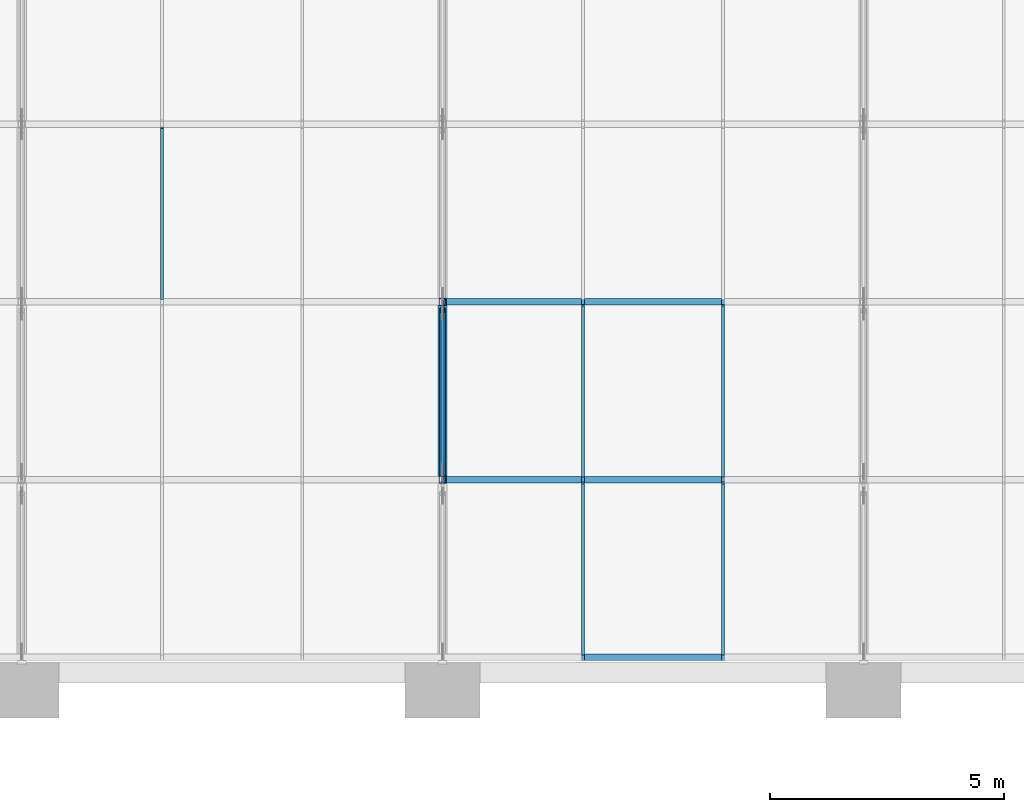
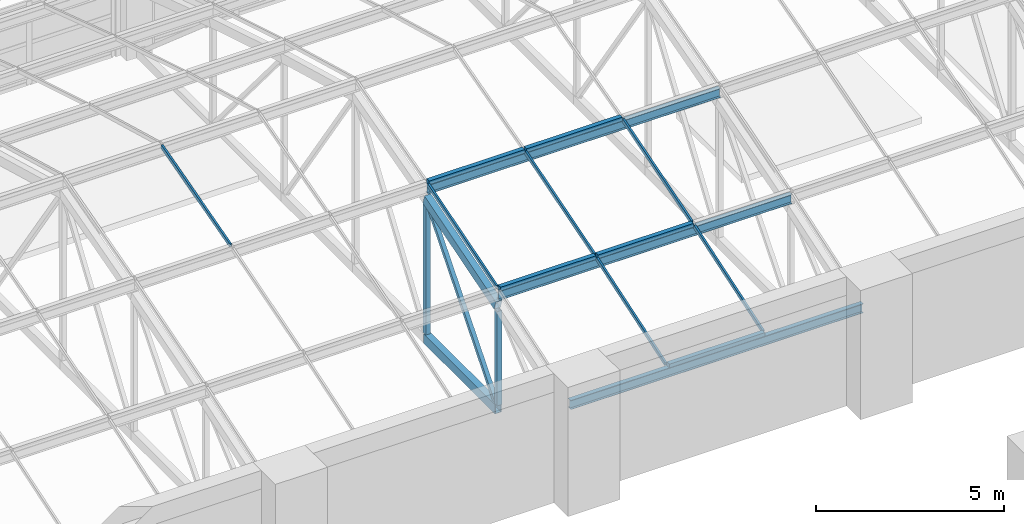
# One storey, part 31 of 82: 19 members, 1 element without a shape of its own.
"""IFC4 building model written with IfcOpenShell, lengths in metres."""

from ifc_helpers import new_model, si_unit, direction, frame, origin, origin_2d, place, context, subcontext, project, spatial, rectangle, hollow_rectangle, i_section, extrude, material, material_profile, profile_set, type_object, element, aggregate, save


model = new_model("IFC4")

# Units and contexts
model_context = context("Model", 3, precision=1e-05, world=origin(), true_north=direction((0.0, 1.0)))
body_context = subcontext(model_context, "Body", "Model", "MODEL_VIEW")
ifc_project = project(units=[si_unit("LENGTHUNIT", "METRE"), si_unit("AREAUNIT", "SQUARE_METRE"), si_unit("VOLUMEUNIT", "CUBIC_METRE"), si_unit("PLANEANGLEUNIT", "RADIAN"), si_unit("MASSUNIT", "GRAM", prefix="KILO")], contexts=[model_context])

# Site, building, storey
site_placement = place(None, origin())
site = spatial("IfcSite", under=ifc_project, at=site_placement, CompositionType="ELEMENT")
building_placement = place(site_placement, origin())
building = spatial("IfcBuilding", under=site, at=building_placement, Name="Aravalli Gate Trade Fair Centre", CompositionType="ELEMENT")
storey_placement = place(building_placement, frame((0.0, 0.0, 19.199951171875)))
storey = spatial("IfcBuildingStorey", under=building, at=storey_placement, Name="L04", CompositionType="ELEMENT", Elevation=19.199951171875)

# Members
ifc_material_1 = material(Name="Steel E350", Category="steel")
ifc_material_profile_1 = material_profile(ifc_material_1, i_section(OverallWidth=0.139892578125, OverallDepth=0.300048828125, WebThickness=0.0078125, FlangeThickness=0.01318359375, at=origin_2d()), Name="ISMB 300")
ifc_profile_set_1 = profile_set([ifc_material_profile_1], Name="Steel E350")
member_type_1 = type_object("IfcMemberType", Name="ISMB 300 roof purlin", PredefinedType="PURLIN", material=ifc_profile_set_1)
for number, where, z_axis, x_axis, name in (
    (1, (132.0, 109.699951171875, 2.60302734375), (1.0, 0.0, 0.0), (0.0, 1.0, 0.0), "Vault purlin 15-16 F0"),
    (2, (132.0, 113.5, 3.851318359375), (1.0, 0.0, 0.0), (0.0, 1.0, 0.0), "Vault purlin 15-16 F1"),
    (3, (132.0, 117.300048828125, 4.999267578125), (1.0, 0.0, 0.0), (0.0, 1.0, 0.0), "Vault purlin 15-16 F2"),
):
    element("IfcMember", number, at=place(storey_placement, frame(where, z_axis=z_axis, x_axis=x_axis)), inside=storey, type_object=member_type_1, Name=name, PredefinedType="PURLIN", context=body_context, shape_type="SweptSolid", body=[
        extrude(i_section(OverallWidth=0.139892578125, OverallDepth=0.300048828125, WebThickness=0.0078125, FlangeThickness=0.01318359375, at=origin_2d()), origin(), (0.0, 0.0, 1.0), 9.0),
    ])
ifc_material_profile_2 = material_profile(ifc_material_1, hollow_rectangle(XDim=0.199951171875, YDim=0.300048828125, WallThickness=0.011962890625, at=origin_2d()), Name="RHS 300x200x12")
ifc_profile_set_2 = profile_set([ifc_material_profile_2], Name="Steel E350")
member_type_2 = type_object("IfcMemberType", Name="RHS 300x200x12 CT1 truss chord", PredefinedType="CHORD", material=ifc_profile_set_2)
member_1_placement = place(storey_placement, frame((132.0, 113.5, 3.5234375), z_axis=(0.0, 0.957138110877, 0.289631898634), x_axis=(-1.0, 0.0, 0.0)))
element("IfcMember", 4, at=member_1_placement, inside=storey, type_object=member_type_2, Name="Concourse vault truss CT1 line 15 top chord T2", PredefinedType="CHORD", context=body_context, shape_type="SweptSolid", body=[
    extrude(hollow_rectangle(XDim=0.199951171875, YDim=0.300048828125, WallThickness=0.011962890625, at=origin_2d()), origin(), (0.0, 0.0, 1.0), 3.97021484375),
])
member_2_placement = place(storey_placement, frame((132.0, 113.5, 0.150146484375), z_axis=(0.0, 1.0, 0.0), x_axis=(-1.0, 0.0, 0.0)))
element("IfcMember", 5, at=member_2_placement, inside=storey, type_object=member_type_2, Name="Concourse vault truss CT1 line 15 bottom chord B2", PredefinedType="CHORD", context=body_context, shape_type="SweptSolid", body=[
    extrude(hollow_rectangle(XDim=0.199951171875, YDim=0.300048828125, WallThickness=0.011962890625, at=origin_2d()), origin(), (0.0, 0.0, 1.0), 3.800048828125),
])
ifc_material_profile_3 = material_profile(ifc_material_1, hollow_rectangle(XDim=0.125, YDim=0.125, WallThickness=0.006103515625, at=origin_2d()), Name="SHS 125x125x6")
ifc_profile_set_3 = profile_set([ifc_material_profile_3], Name="Steel E350")
member_type_3 = type_object("IfcMemberType", Name="SHS 125x125x6 CT1 truss diagonal", PredefinedType="BRACE", material=ifc_profile_set_3)
member_3_placement = place(storey_placement, frame((132.0, 113.6259765625, 0.300048828125), z_axis=(0.0, 0.643253159982, 0.765653558845), x_axis=(-1.0, 0.0, 0.0)))
element("IfcMember", 6, at=member_3_placement, inside=storey, type_object=member_type_3, Name="Concourse vault truss CT1 line 15 diagonal D2", PredefinedType="BRACE", context=body_context, shape_type="SweptSolid", body=[
    extrude(hollow_rectangle(XDim=0.125, YDim=0.125, WallThickness=0.006103515625, at=origin_2d()), origin(), (0.0, 0.0, 1.0), 5.437255859375),
])
ifc_material_profile_4 = material_profile(ifc_material_1, hollow_rectangle(XDim=0.14990234375, YDim=0.14990234375, WallThickness=0.006103515625, at=origin_2d()), Name="SHS 150x150x6")
ifc_profile_set_4 = profile_set([ifc_material_profile_4], Name="Steel E350")
member_type_4 = type_object("IfcMemberType", Name="SHS 150x150x6 CT1 truss post", PredefinedType="POST", material=ifc_profile_set_4)
member_4_placement = place(storey_placement, frame((132.0, 113.5, 0.300048828125), z_axis=(0.0, 0.0, 1.0), x_axis=(1.0, 0.0, 0.0)))
element("IfcMember", 7, at=member_4_placement, inside=storey, type_object=member_type_4, Name="Concourse vault truss CT1 line 15 post V1", PredefinedType="POST", context=body_context, shape_type="SweptSolid", body=[
    extrude(hollow_rectangle(XDim=0.14990234375, YDim=0.14990234375, WallThickness=0.006103515625, at=origin_2d()), origin(), (0.0, 0.0, 1.0), 3.064208984375),
])
member_5_placement = place(storey_placement, frame((132.0, 117.300048828125, 0.300048828125), z_axis=(0.0, 0.0, 1.0), x_axis=(1.0, 0.0, 0.0)))
element("IfcMember", 8, at=member_5_placement, inside=storey, type_object=member_type_4, Name="Concourse vault truss CT1 line 15 post V2", PredefinedType="POST", context=body_context, shape_type="SweptSolid", body=[
    extrude(hollow_rectangle(XDim=0.14990234375, YDim=0.14990234375, WallThickness=0.006103515625, at=origin_2d()), origin(), (0.0, 0.0, 1.0), 4.216552734375),
])
ifc_material_2 = material(Name="Aluminium", Category="aluminium")
ifc_material_profile_5 = material_profile(ifc_material_2, rectangle(XDim=0.139892578125, YDim=0.1201171875, at=origin_2d()), Name="Vault fold cap 140 x 120")
ifc_profile_set_5 = profile_set([ifc_material_profile_5], Name="Aluminium")
member_type_5 = type_object("IfcMemberType", Name="Vault fold cap 140 x 120", PredefinedType="USERDEFINED", material=ifc_profile_set_5)
for number, where, z_axis, x_axis, name in (
    (9, (132.030029296875, 113.5, 4.061279296875), (1.0, 0.0, 0.0), (0.0, 1.0, 0.0), "Vault fold cap e11.1"),
    (10, (132.030029296875, 117.300048828125, 5.209228515625), (1.0, 0.0, 0.0), (0.0, 1.0, 0.0), "Vault fold cap e11.2"),
    (11, (135.030029296875, 109.699951171875, 2.81298828125), (1.0, 0.0, 0.0), (0.0, 1.0, 0.0), "Vault fold cap e12.0"),
    (12, (135.030029296875, 113.5, 4.061279296875), (1.0, 0.0, 0.0), (0.0, 1.0, 0.0), "Vault fold cap e12.1"),
    (13, (135.030029296875, 117.300048828125, 5.209228515625), (1.0, 0.0, 0.0), (0.0, 1.0, 0.0), "Vault fold cap e12.2"),
):
    element("IfcMember", number, at=place(storey_placement, frame(where, z_axis=z_axis, x_axis=x_axis)), inside=storey, type_object=member_type_5, Name=name, ObjectType="FOLD CAP", PredefinedType="USERDEFINED", context=body_context, shape_type="SweptSolid", body=[
        extrude(rectangle(XDim=0.139892578125, YDim=0.1201171875, at=origin_2d()), origin(), (0.0, 0.0, 1.0), 2.93994140625),
    ])

# Curtain wall, members
ifc_material_3 = material(Name="Aluminium and glass", Category="aluminium")
curtain_wall_type = type_object("IfcCurtainWallType", Name="Vault curtain wall, sloped glazing", PredefinedType="NOTDEFINED", material=ifc_material_3)
curtain_wall_placement = place(storey_placement, origin())
curtain_wall = element("IfcCurtainWall", 14, at=curtain_wall_placement, inside=storey, type_object=curtain_wall_type, Name="Vault curtain wall e", PredefinedType="NOTDEFINED")
ifc_material_profile_6 = material_profile(ifc_material_2, rectangle(XDim=0.06005859375, YDim=0.1201171875, at=origin_2d()), Name="Vault glazing bar 60 x 120")
ifc_profile_set_6 = profile_set([ifc_material_profile_6], Name="Aluminium")
member_type_6 = type_object("IfcMemberType", Name="Vault glazing bar 60 x 120", PredefinedType="USERDEFINED", material=ifc_profile_set_6)
member_6_placement = place(storey_placement, frame((126.0, 117.3701171875, 5.20703125), z_axis=(0.0, 0.96386804037, 0.266380180859), x_axis=(-1.0, 0.0, 0.0)))
member_6 = element("IfcMember", 15, at=member_6_placement, type_object=member_type_6, Name="Vault glazing bar e9.3", ObjectType="GLAZING BAR", PredefinedType="USERDEFINED", context=body_context, shape_type="SweptSolid", body=[
    extrude(rectangle(XDim=0.06005859375, YDim=0.1201171875, at=origin_2d()), origin(), (0.0, 0.0, 1.0), 3.797119140625),
])
member_7_placement = place(storey_placement, frame((132.0, 113.570068359375, 4.05859375), z_axis=(0.0, 0.957125834694, 0.289672464279), x_axis=(-1.0, 0.0, 0.0)))
member_7 = element("IfcMember", 16, at=member_7_placement, type_object=member_type_6, Name="Vault glazing bar e11.2", ObjectType="GLAZING BAR", PredefinedType="USERDEFINED", context=body_context, shape_type="SweptSolid", body=[
    extrude(rectangle(XDim=0.06005859375, YDim=0.1201171875, at=origin_2d()), origin(), (0.0, 0.0, 1.0), 3.823974609375),
])
member_8_placement = place(storey_placement, frame((135.0, 109.77001953125, 2.81005859375), z_axis=(0.0, 0.949930492103, 0.31246129388), x_axis=(-1.0, 0.0, 0.0)))
member_8 = element("IfcMember", 17, at=member_8_placement, type_object=member_type_6, Name="Vault glazing bar e12.1", ObjectType="GLAZING BAR", PredefinedType="USERDEFINED", context=body_context, shape_type="SweptSolid", body=[
    extrude(rectangle(XDim=0.06005859375, YDim=0.1201171875, at=origin_2d()), origin(), (0.0, 0.0, 1.0), 3.852783203125),
])
member_9_placement = place(storey_placement, frame((135.0, 113.570068359375, 4.05859375), z_axis=(0.0, 0.957125834694, 0.289672464279), x_axis=(-1.0, 0.0, 0.0)))
member_9 = element("IfcMember", 18, at=member_9_placement, type_object=member_type_6, Name="Vault glazing bar e12.2", ObjectType="GLAZING BAR", PredefinedType="USERDEFINED", context=body_context, shape_type="SweptSolid", body=[
    extrude(rectangle(XDim=0.06005859375, YDim=0.1201171875, at=origin_2d()), origin(), (0.0, 0.0, 1.0), 3.823974609375),
])
member_10_placement = place(storey_placement, frame((138.0, 109.77001953125, 2.81005859375), z_axis=(0.0, 0.949930492103, 0.31246129388), x_axis=(-1.0, 0.0, 0.0)))
member_10 = element("IfcMember", 19, at=member_10_placement, type_object=member_type_6, Name="Vault glazing bar e13.1", ObjectType="GLAZING BAR", PredefinedType="USERDEFINED", context=body_context, shape_type="SweptSolid", body=[
    extrude(rectangle(XDim=0.06005859375, YDim=0.1201171875, at=origin_2d()), origin(), (0.0, 0.0, 1.0), 3.852783203125),
])
member_11_placement = place(storey_placement, frame((138.0, 113.570068359375, 4.05859375), z_axis=(0.0, 0.957125834694, 0.289672464279), x_axis=(-1.0, 0.0, 0.0)))
member_11 = element("IfcMember", 20, at=member_11_placement, type_object=member_type_6, Name="Vault glazing bar e13.2", ObjectType="GLAZING BAR", PredefinedType="USERDEFINED", context=body_context, shape_type="SweptSolid", body=[
    extrude(rectangle(XDim=0.06005859375, YDim=0.1201171875, at=origin_2d()), origin(), (0.0, 0.0, 1.0), 3.823974609375),
])
aggregate(curtain_wall, [member_6, member_7, member_8, member_9, member_10, member_11])

save(model, "model.ifc")
